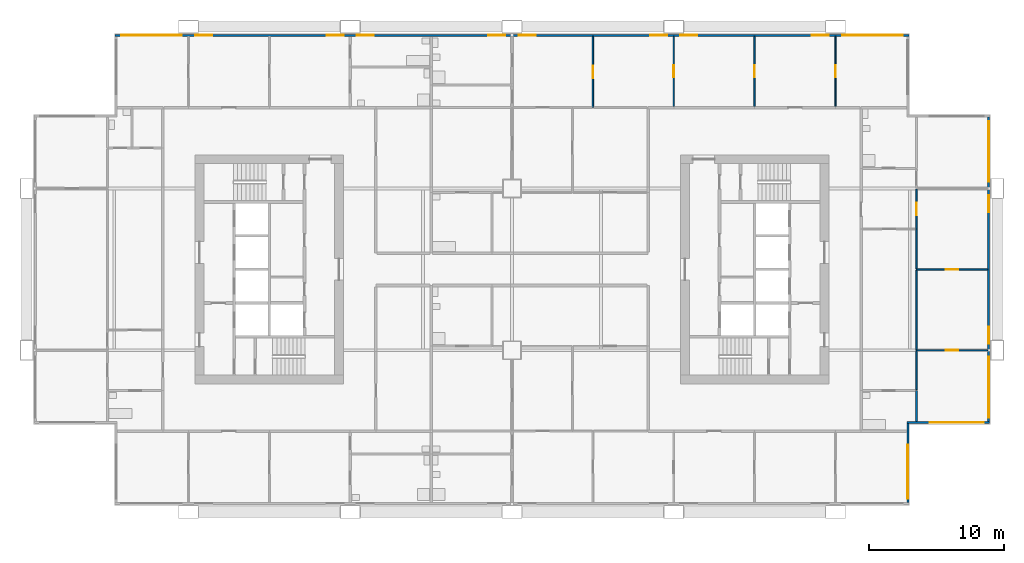
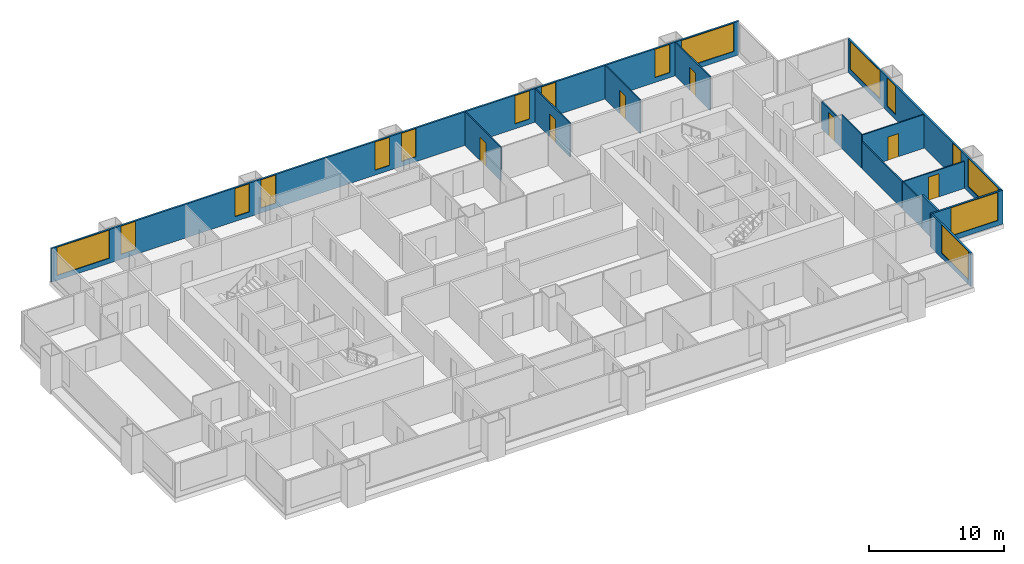
# One storey, part 8 of 11: 16 windows, 15 walls, 7 doors, 23 openings.
"""IFC4 building model written with IfcOpenShell, lengths in metres."""

from ifc_helpers import new_model, si_unit, direction, frame, frame_2d, origin, place, context, subcontext, project, spatial, rectangle, extrude, material, layer, layer_set, type_object, element, fill, save


model = new_model("IFC4")

# Units and contexts
model_context = context("Model", 3, precision=1e-05, world=origin(), true_north=direction((0.0, 1.0)))
body_context = subcontext(model_context, "Body", "Model", "MODEL_VIEW")
ifc_project = project(units=[si_unit("LENGTHUNIT", "METRE"), si_unit("AREAUNIT", "SQUARE_METRE"), si_unit("VOLUMEUNIT", "CUBIC_METRE"), si_unit("PLANEANGLEUNIT", "RADIAN"), si_unit("MASSUNIT", "GRAM", prefix="KILO")], contexts=[model_context])

# Site, building, storey
site_placement = place(None, origin())
site = spatial("IfcSite", under=ifc_project, at=site_placement, CompositionType="ELEMENT")
building_placement = place(site_placement, origin())
building = spatial("IfcBuilding", under=site, at=building_placement, Name="Kitamizu Gate Tower and Museum", CompositionType="ELEMENT")
storey_placement = place(building_placement, frame((0.0, 0.0, 106.949951171875)))
storey = spatial("IfcBuildingStorey", under=building, at=storey_placement, Name="L27", CompositionType="ELEMENT", Elevation=106.949951171875)

# Wall, opening, door
ifc_material_1 = material(Name="Gypsum board on galvanised stud")
ifc_layer_1 = layer(ifc_material_1, 0.10009765625)
ifc_layer_set_1 = layer_set([ifc_layer_1], Name="Gypsum board on galvanised stud")
wall_type_1 = type_object("IfcWallType", Name="Partition 100 NOT RATED", PredefinedType="PARTITIONING", material=ifc_layer_set_1)
wall_1_placement = place(storey_placement, frame((71.280029296875, 24.0, 0.0), z_axis=(0.0, 0.0, 1.0), x_axis=(-1.0, 0.0, 0.0)))
wall_1 = element("IfcWall", 1, at=wall_1_placement, inside=storey, type_object=wall_type_1, Name="Partition L27-068", PredefinedType="PARTITIONING", context=body_context, shape_type="SweptSolid", body=[
    extrude(rectangle(XDim=5.280029296875, YDim=0.10009765625, at=frame_2d((2.64013671875, 0.0))), origin(), (0.0, 0.0, 1.0), 2.449951171875),
])
opening_1_placement = place(wall_1_placement, frame((2.18994140625, 0.0, 0.0)))
opening_1 = element("IfcOpeningElement", 2, at=opening_1_placement, cuts=wall_1, Name="Opening L27-032", PredefinedType="OPENING", context=body_context, shape_type="SweptSolid", body=[
    extrude(rectangle(XDim=0.89990234375, YDim=2.10009765625, at=frame_2d((0.449951171875, 1.050048828125))), frame((0.0, 0.06005859375, 0.0), z_axis=(0.0, -1.0, 0.0), x_axis=(1.0, 0.0, 0.0)), (0.0, 0.0, 1.0), 0.1201171875),
])
ifc_material_2 = material(Name="Timber door set", Category="wood")
door_type = type_object("IfcDoorType", Name="Room door 900", OperationType="NOTDEFINED", PredefinedType="DOOR", material=ifc_material_2)
door_1_placement = place(opening_1_placement, origin())
door_1 = element("IfcDoor", 3, at=door_1_placement, inside=storey, type_object=door_type, Name="Door L27-032", OperationType="SINGLE_SWING_LEFT", OverallHeight=2.10009765625, OverallWidth=0.89990234375, PredefinedType="DOOR", context=body_context, shape_type="SweptSolid", body=[
    extrude(rectangle(XDim=0.89990234375, YDim=2.10009765625, at=frame_2d((0.449951171875, 1.050048828125))), frame((0.0, 0.02490234375, 0.0), z_axis=(0.0, -1.0, 0.0), x_axis=(1.0, 0.0, 0.0)), (0.0, 0.0, 1.0), 0.050048828125),
])
fill(opening_1, door_1)

# Wall
wall_2_placement = place(storey_placement, frame((66.0, 23.949951171875, 0.0), z_axis=(0.0, 0.0, 1.0), x_axis=(0.0, -1.0, 0.0)))
element("IfcWall", 4, at=wall_2_placement, inside=storey, type_object=wall_type_1, Name="Partition L27-070", PredefinedType="PARTITIONING", context=body_context, shape_type="SweptSolid", body=[
    extrude(rectangle(XDim=2.875, YDim=0.10009765625, at=frame_2d((1.4375, 0.0))), origin(), (0.0, 0.0, 1.0), 2.449951171875),
])

# Wall, opening, door
wall_3_placement = place(storey_placement, frame((71.280029296875, 30.0, 0.0), z_axis=(0.0, 0.0, 1.0), x_axis=(-1.0, 0.0, 0.0)))
wall_3 = element("IfcWall", 5, at=wall_3_placement, inside=storey, type_object=wall_type_1, Name="Partition L27-071", PredefinedType="PARTITIONING", context=body_context, shape_type="SweptSolid", body=[
    extrude(rectangle(XDim=5.280029296875, YDim=0.10009765625, at=frame_2d((2.64013671875, 0.0))), origin(), (0.0, 0.0, 1.0), 3.050048828125),
])
opening_2_placement = place(wall_3_placement, frame((2.18994140625, 0.0, 0.0)))
opening_2 = element("IfcOpeningElement", 6, at=opening_2_placement, cuts=wall_3, Name="Opening L27-030", PredefinedType="OPENING", context=body_context, shape_type="SweptSolid", body=[
    extrude(rectangle(XDim=0.89990234375, YDim=2.10009765625, at=frame_2d((0.449951171875, 1.050048828125))), frame((0.0, 0.06005859375, 0.0), z_axis=(0.0, -1.0, 0.0), x_axis=(1.0, 0.0, 0.0)), (0.0, 0.0, 1.0), 0.1201171875),
])
door_2_placement = place(opening_2_placement, origin())
door_2 = element("IfcDoor", 7, at=door_2_placement, inside=storey, type_object=door_type, Name="Door L27-030", OperationType="SINGLE_SWING_LEFT", OverallHeight=2.10009765625, OverallWidth=0.89990234375, PredefinedType="DOOR", context=body_context, shape_type="SweptSolid", body=[
    extrude(rectangle(XDim=0.89990234375, YDim=2.10009765625, at=frame_2d((0.449951171875, 1.050048828125))), frame((0.0, 0.02490234375, 0.0), z_axis=(0.0, -1.0, 0.0), x_axis=(1.0, 0.0, 0.0)), (0.0, 0.0, 1.0), 0.050048828125),
])
fill(opening_2, door_2)

# Walls
wall_4_placement = place(storey_placement, frame((66.0, 29.949951171875, 0.0), z_axis=(0.0, 0.0, 1.0), x_axis=(0.0, -1.0, 0.0)))
element("IfcWall", 8, at=wall_4_placement, inside=storey, type_object=wall_type_1, Name="Partition L27-072", PredefinedType="PARTITIONING", context=body_context, shape_type="SweptSolid", body=[
    extrude(rectangle(XDim=5.89990234375, YDim=0.10009765625, at=frame_2d((2.949951171875, 0.0))), origin(), (0.0, 0.0, 1.0), 2.449951171875),
])
wall_5_placement = place(storey_placement, frame((66.0, 33.0, 0.0), z_axis=(0.0, 0.0, 1.0), x_axis=(0.0, -1.0, 0.0)))
element("IfcWall", 9, at=wall_5_placement, inside=storey, type_object=wall_type_1, Name="Partition L27-074", PredefinedType="PARTITIONING", context=body_context, shape_type="SweptSolid", body=[
    extrude(rectangle(XDim=2.949951171875, YDim=0.10009765625, at=frame_2d((1.47509765625, 0.0))), origin(), (0.0, 0.0, 1.0), 3.050048828125),
])

# Wall, opening, door
wall_6_placement = place(storey_placement, frame((66.0, 35.949951171875, 0.0), z_axis=(0.0, 0.0, 1.0), x_axis=(0.0, -1.0, 0.0)))
wall_6 = element("IfcWall", 10, at=wall_6_placement, inside=storey, type_object=wall_type_1, Name="Partition L27-075", PredefinedType="PARTITIONING", context=body_context, shape_type="SweptSolid", body=[
    extrude(rectangle(XDim=2.949951171875, YDim=0.10009765625, at=frame_2d((1.47509765625, 0.0))), origin(), (0.0, 0.0, 1.0), 2.449951171875),
])
opening_3_placement = place(wall_6_placement, frame((1.02490234375, 0.0, 0.0)))
opening_3 = element("IfcOpeningElement", 11, at=opening_3_placement, cuts=wall_6, Name="Opening L27-027", PredefinedType="OPENING", context=body_context, shape_type="SweptSolid", body=[
    extrude(rectangle(XDim=0.89990234375, YDim=2.10009765625, at=frame_2d((0.449951171875, 1.050048828125))), frame((0.0, 0.06005859375, 0.0), z_axis=(0.0, -1.0, 0.0), x_axis=(1.0, 0.0, 0.0)), (0.0, 0.0, 1.0), 0.1201171875),
])
door_3_placement = place(opening_3_placement, origin())
door_3 = element("IfcDoor", 12, at=door_3_placement, inside=storey, type_object=door_type, Name="Door L27-027", OperationType="SINGLE_SWING_RIGHT", OverallHeight=2.10009765625, OverallWidth=0.89990234375, PredefinedType="DOOR", context=body_context, shape_type="SweptSolid", body=[
    extrude(rectangle(XDim=0.89990234375, YDim=2.10009765625, at=frame_2d((0.449951171875, 1.050048828125))), frame((0.0, 0.02490234375, 0.0), z_axis=(0.0, -1.0, 0.0), x_axis=(1.0, 0.0, 0.0)), (0.0, 0.0, 1.0), 0.050048828125),
])
fill(opening_3, door_3)

wall_7_placement = place(storey_placement, frame((42.0, 42.0, 0.0), z_axis=(0.0, 0.0, 1.0), x_axis=(0.0, 1.0, 0.0)))
wall_7 = element("IfcWall", 13, at=wall_7_placement, inside=storey, type_object=wall_type_1, Name="Partition L27-111", PredefinedType="PARTITIONING", context=body_context, shape_type="SweptSolid", body=[
    extrude(rectangle(XDim=5.280029296875, YDim=0.10009765625, at=frame_2d((2.64013671875, 0.0))), origin(), (0.0, 0.0, 1.0), 3.050048828125),
])
opening_4_placement = place(wall_7_placement, frame((2.18994140625, 0.0, 0.0)))
opening_4 = element("IfcOpeningElement", 14, at=opening_4_placement, cuts=wall_7, Name="Opening L27-043", PredefinedType="OPENING", context=body_context, shape_type="SweptSolid", body=[
    extrude(rectangle(XDim=0.89990234375, YDim=2.10009765625, at=frame_2d((0.449951171875, 1.050048828125))), frame((0.0, 0.06005859375, 0.0), z_axis=(0.0, -1.0, 0.0), x_axis=(1.0, 0.0, 0.0)), (0.0, 0.0, 1.0), 0.1201171875),
])
door_4_placement = place(opening_4_placement, origin())
door_4 = element("IfcDoor", 15, at=door_4_placement, inside=storey, type_object=door_type, Name="Door L27-043", OperationType="SINGLE_SWING_RIGHT", OverallHeight=2.10009765625, OverallWidth=0.89990234375, PredefinedType="DOOR", context=body_context, shape_type="SweptSolid", body=[
    extrude(rectangle(XDim=0.89990234375, YDim=2.10009765625, at=frame_2d((0.449951171875, 1.050048828125))), frame((0.0, 0.02490234375, 0.0), z_axis=(0.0, -1.0, 0.0), x_axis=(1.0, 0.0, 0.0)), (0.0, 0.0, 1.0), 0.050048828125),
])
fill(opening_4, door_4)

wall_8_placement = place(storey_placement, frame((48.0, 42.10009765625, 0.0), z_axis=(0.0, 0.0, 1.0), x_axis=(0.0, 1.0, 0.0)))
wall_8 = element("IfcWall", 16, at=wall_8_placement, inside=storey, type_object=wall_type_1, Name="Partition L27-114", PredefinedType="PARTITIONING", context=body_context, shape_type="SweptSolid", body=[
    extrude(rectangle(XDim=5.179931640625, YDim=0.10009765625, at=frame_2d((2.58984375, 0.0))), origin(), (0.0, 0.0, 1.0), 3.050048828125),
])
opening_5_placement = place(wall_8_placement, frame((2.139892578125, 0.0, 0.0)))
opening_5 = element("IfcOpeningElement", 17, at=opening_5_placement, cuts=wall_8, Name="Opening L27-042", PredefinedType="OPENING", context=body_context, shape_type="SweptSolid", body=[
    extrude(rectangle(XDim=0.89990234375, YDim=2.10009765625, at=frame_2d((0.449951171875, 1.050048828125))), frame((0.0, 0.06005859375, 0.0), z_axis=(0.0, -1.0, 0.0), x_axis=(1.0, 0.0, 0.0)), (0.0, 0.0, 1.0), 0.1201171875),
])
door_5_placement = place(opening_5_placement, origin())
door_5 = element("IfcDoor", 18, at=door_5_placement, inside=storey, type_object=door_type, Name="Door L27-042", OperationType="SINGLE_SWING_LEFT", OverallHeight=2.10009765625, OverallWidth=0.89990234375, PredefinedType="DOOR", context=body_context, shape_type="SweptSolid", body=[
    extrude(rectangle(XDim=0.89990234375, YDim=2.10009765625, at=frame_2d((0.449951171875, 1.050048828125))), frame((0.0, 0.02490234375, 0.0), z_axis=(0.0, -1.0, 0.0), x_axis=(1.0, 0.0, 0.0)), (0.0, 0.0, 1.0), 0.050048828125),
])
fill(opening_5, door_5)

wall_9_placement = place(storey_placement, frame((54.0, 42.10009765625, 0.0), z_axis=(0.0, 0.0, 1.0), x_axis=(0.0, 1.0, 0.0)))
wall_9 = element("IfcWall", 19, at=wall_9_placement, inside=storey, type_object=wall_type_1, Name="Partition L27-117", PredefinedType="PARTITIONING", context=body_context, shape_type="SweptSolid", body=[
    extrude(rectangle(XDim=5.179931640625, YDim=0.10009765625, at=frame_2d((2.58984375, 0.0))), origin(), (0.0, 0.0, 1.0), 3.050048828125),
])
opening_6_placement = place(wall_9_placement, frame((2.139892578125, 0.0, 0.0)))
opening_6 = element("IfcOpeningElement", 20, at=opening_6_placement, cuts=wall_9, Name="Opening L27-040", PredefinedType="OPENING", context=body_context, shape_type="SweptSolid", body=[
    extrude(rectangle(XDim=0.89990234375, YDim=2.10009765625, at=frame_2d((0.449951171875, 1.050048828125))), frame((0.0, 0.06005859375, 0.0), z_axis=(0.0, -1.0, 0.0), x_axis=(1.0, 0.0, 0.0)), (0.0, 0.0, 1.0), 0.1201171875),
])
door_6_placement = place(opening_6_placement, origin())
door_6 = element("IfcDoor", 21, at=door_6_placement, inside=storey, type_object=door_type, Name="Door L27-040", OperationType="SINGLE_SWING_LEFT", OverallHeight=2.10009765625, OverallWidth=0.89990234375, PredefinedType="DOOR", context=body_context, shape_type="SweptSolid", body=[
    extrude(rectangle(XDim=0.89990234375, YDim=2.10009765625, at=frame_2d((0.449951171875, 1.050048828125))), frame((0.0, 0.02490234375, 0.0), z_axis=(0.0, -1.0, 0.0), x_axis=(1.0, 0.0, 0.0)), (0.0, 0.0, 1.0), 0.050048828125),
])
fill(opening_6, door_6)

wall_10_placement = place(storey_placement, frame((60.0, 42.10009765625, 0.0), z_axis=(0.0, 0.0, 1.0), x_axis=(0.0, 1.0, 0.0)))
wall_10 = element("IfcWall", 22, at=wall_10_placement, inside=storey, type_object=wall_type_1, Name="Partition L27-119", PredefinedType="PARTITIONING", context=body_context, shape_type="SweptSolid", body=[
    extrude(rectangle(XDim=5.179931640625, YDim=0.10009765625, at=frame_2d((2.58984375, 0.0))), origin(), (0.0, 0.0, 1.0), 3.050048828125),
])
opening_7_placement = place(wall_10_placement, frame((2.139892578125, 0.0, 0.0)))
opening_7 = element("IfcOpeningElement", 23, at=opening_7_placement, cuts=wall_10, Name="Opening L27-041", PredefinedType="OPENING", context=body_context, shape_type="SweptSolid", body=[
    extrude(rectangle(XDim=0.89990234375, YDim=2.10009765625, at=frame_2d((0.449951171875, 1.050048828125))), frame((0.0, 0.06005859375, 0.0), z_axis=(0.0, -1.0, 0.0), x_axis=(1.0, 0.0, 0.0)), (0.0, 0.0, 1.0), 0.1201171875),
])
door_7_placement = place(opening_7_placement, frame((0.89990234375, 0.0, 0.0), x_axis=(-1.0, 0.0, 0.0)))
door_7 = element("IfcDoor", 24, at=door_7_placement, inside=storey, type_object=door_type, Name="Door L27-041", OperationType="SINGLE_SWING_LEFT", OverallHeight=2.10009765625, OverallWidth=0.89990234375, PredefinedType="DOOR", context=body_context, shape_type="SweptSolid", body=[
    extrude(rectangle(XDim=0.89990234375, YDim=2.10009765625, at=frame_2d((0.449951171875, 1.050048828125))), frame((0.0, 0.02490234375, 0.0), z_axis=(0.0, -1.0, 0.0), x_axis=(1.0, 0.0, 0.0)), (0.0, 0.0, 1.0), 0.050048828125),
])
fill(opening_7, door_7)

# Wall
ifc_material_3 = material(Name="Gypsum board on galvanised stud")
ifc_layer_2 = layer(ifc_material_3, 0.14990234375)
ifc_layer_set_2 = layer_set([ifc_layer_2], Name="Gypsum board on galvanised stud")
wall_type_2 = type_object("IfcWallType", Name="Partition 150", PredefinedType="PARTITIONING", material=ifc_layer_set_2)
wall_11_placement = place(storey_placement, frame((66.0, 21.0, 0.0), z_axis=(0.0, 0.0, 1.0), x_axis=(0.0, -1.0, 0.0)))
element("IfcWall", 25, at=wall_11_placement, inside=storey, type_object=wall_type_2, Name="Partition L27-069", PredefinedType="PARTITIONING", context=body_context, shape_type="SweptSolid", body=[
    extrude(rectangle(XDim=2.280029296875, YDim=0.14990234375, at=frame_2d((1.14013671875, 0.0))), origin(), (0.0, 0.0, 1.0), 3.050048828125),
])

# Wall, opening, window
ifc_material_4 = material(Name="Bronze anodised aluminium frame with insulated spandrel and tinted glass", Category="aluminium")
ifc_layer_3 = layer(ifc_material_4, 0.14990234375)
ifc_layer_set_3 = layer_set([ifc_layer_3], Name="Bronze anodised aluminium frame with insulated spandrel and tinted glass")
wall_type_3 = type_object("IfcWallType", Name="WINDOW WALL 150 BRONZE FRAME EI 30", PredefinedType="ELEMENTEDWALL", material=ifc_layer_set_3)
wall_12_placement = place(storey_placement, frame((65.364990234375, 12.7099609375, 0.0), z_axis=(0.0, 0.0, 1.0), x_axis=(0.0, 1.0, 0.0)))
wall_12 = element("IfcWall", 26, at=wall_12_placement, inside=storey, type_object=wall_type_3, Name="Window wall east L27", PredefinedType="ELEMENTEDWALL", context=body_context, shape_type="SweptSolid", body=[
    extrude(rectangle(XDim=5.85009765625, YDim=0.14990234375, at=frame_2d((2.925048828125, 0.0))), origin(), (0.0, 0.0, 1.0), 3.050048828125),
])
opening_8_placement = place(wall_12_placement, frame((0.2900390625, 0.0, 0.449951171875)))
opening_8 = element("IfcOpeningElement", 27, at=opening_8_placement, cuts=wall_12, Name="Opening W16", PredefinedType="OPENING", context=body_context, shape_type="SweptSolid", body=[
    extrude(rectangle(XDim=4.0, YDim=2.550048828125, at=frame_2d((2.0, 1.27490234375))), frame((0.0, 0.0849609375, 0.0), z_axis=(0.0, -1.0, 0.0), x_axis=(1.0, 0.0, 0.0)), (0.0, 0.0, 1.0), 0.169921875),
])
ifc_material_5 = material(Name="Bronze anodised aluminium frame, tinted triple glazing", Category="aluminium")
window_type_1 = type_object("IfcWindowType", Name="WINDOW 4000 x 2550 SILL 450", PartitioningType="SINGLE_PANEL", PredefinedType="WINDOW", material=ifc_material_5)
window_1_placement = place(opening_8_placement, origin())
window_1 = element("IfcWindow", 28, at=window_1_placement, inside=storey, type_object=window_type_1, Name="Window W16 L27", OverallHeight=2.550048828125, OverallWidth=4.0, PartitioningType="SINGLE_PANEL", PredefinedType="WINDOW", context=body_context, shape_type="SweptSolid", body=[
    extrude(rectangle(XDim=4.0, YDim=2.550048828125, at=frame_2d((2.0, 1.27490234375))), frame((0.0, 0.030029296875, 0.0), z_axis=(0.0, -1.0, 0.0), x_axis=(1.0, 0.0, 0.0)), (0.0, 0.0, 1.0), 0.06005859375),
])
fill(opening_8, window_1)

wall_13_placement = place(storey_placement, frame((65.2900390625, 18.635009765625, 0.0), z_axis=(0.0, 0.0, 1.0), x_axis=(1.0, 0.0, 0.0)))
wall_13 = element("IfcWall", 29, at=wall_13_placement, inside=storey, type_object=wall_type_3, Name="Window wall south L27", PredefinedType="ELEMENTEDWALL", context=body_context, shape_type="SweptSolid", body=[
    extrude(rectangle(XDim=6.14990234375, YDim=0.14990234375, at=frame_2d((3.074951171875, 0.0))), origin(), (0.0, 0.0, 1.0), 3.050048828125),
])
opening_9_placement = place(wall_13_placement, frame((1.7099609375, 0.0, 0.449951171875)))
opening_9 = element("IfcOpeningElement", 30, at=opening_9_placement, cuts=wall_13, Name="Opening W16", PredefinedType="OPENING", context=body_context, shape_type="SweptSolid", body=[
    extrude(rectangle(XDim=4.0, YDim=2.550048828125, at=frame_2d((2.0, 1.27490234375))), frame((0.0, 0.0849609375, 0.0), z_axis=(0.0, -1.0, 0.0), x_axis=(1.0, 0.0, 0.0)), (0.0, 0.0, 1.0), 0.169921875),
])
window_2_placement = place(opening_9_placement, origin())
window_2 = element("IfcWindow", 31, at=window_2_placement, inside=storey, type_object=window_type_1, Name="Window W16 L27", OverallHeight=2.550048828125, OverallWidth=4.0, PartitioningType="SINGLE_PANEL", PredefinedType="WINDOW", context=body_context, shape_type="SweptSolid", body=[
    extrude(rectangle(XDim=4.0, YDim=2.550048828125, at=frame_2d((2.0, 1.27490234375))), frame((0.0, 0.030029296875, 0.0), z_axis=(0.0, -1.0, 0.0), x_axis=(1.0, 0.0, 0.0)), (0.0, 0.0, 1.0), 0.06005859375),
])
fill(opening_9, window_2)

# Wall, openings, windows
wall_14_placement = place(storey_placement, frame((71.364990234375, 18.7099609375, 0.0), z_axis=(0.0, 0.0, 1.0), x_axis=(0.0, 1.0, 0.0)))
wall_14 = element("IfcWall", 32, at=wall_14_placement, inside=storey, type_object=wall_type_3, Name="Window wall east L27", PredefinedType="ELEMENTEDWALL", context=body_context, shape_type="SweptSolid", body=[
    extrude(rectangle(XDim=22.580078125, YDim=0.14990234375, at=frame_2d((11.2900390625, 0.0))), origin(), (0.0, 0.0, 1.0), 3.050048828125),
])
opening_10_placement = place(wall_14_placement, frame((0.2900390625, 0.0, 0.449951171875)))
opening_10 = element("IfcOpeningElement", 33, at=opening_10_placement, cuts=wall_14, Name="Opening W15", PredefinedType="OPENING", context=body_context, shape_type="SweptSolid", body=[
    extrude(rectangle(XDim=4.5, YDim=2.550048828125, at=frame_2d((2.25, 1.27490234375))), frame((0.0, 0.0849609375, 0.0), z_axis=(0.0, -1.0, 0.0), x_axis=(1.0, 0.0, 0.0)), (0.0, 0.0, 1.0), 0.169921875),
])
opening_11_placement = place(wall_14_placement, frame((5.7900390625, 0.0, 0.449951171875)))
opening_11 = element("IfcOpeningElement", 34, at=opening_11_placement, cuts=wall_14, Name="Opening W27", PredefinedType="OPENING", context=body_context, shape_type="SweptSolid", body=[
    extrude(rectangle(XDim=1.25, YDim=2.550048828125, at=frame_2d((0.625, 1.27490234375))), frame((0.0, 0.0849609375, 0.0), z_axis=(0.0, -1.0, 0.0), x_axis=(1.0, 0.0, 0.0)), (0.0, 0.0, 1.0), 0.169921875),
])
opening_12_placement = place(wall_14_placement, frame((15.5400390625, 0.0, 0.449951171875)))
opening_12 = element("IfcOpeningElement", 35, at=opening_12_placement, cuts=wall_14, Name="Opening W27", PredefinedType="OPENING", context=body_context, shape_type="SweptSolid", body=[
    extrude(rectangle(XDim=1.25, YDim=2.550048828125, at=frame_2d((0.625, 1.27490234375))), frame((0.0, 0.0849609375, 0.0), z_axis=(0.0, -1.0, 0.0), x_axis=(1.0, 0.0, 0.0)), (0.0, 0.0, 1.0), 0.169921875),
])
opening_13_placement = place(wall_14_placement, frame((17.7900390625, 0.0, 0.449951171875)))
opening_13 = element("IfcOpeningElement", 36, at=opening_13_placement, cuts=wall_14, Name="Opening W15", PredefinedType="OPENING", context=body_context, shape_type="SweptSolid", body=[
    extrude(rectangle(XDim=4.5, YDim=2.550048828125, at=frame_2d((2.25, 1.27490234375))), frame((0.0, 0.0849609375, 0.0), z_axis=(0.0, -1.0, 0.0), x_axis=(1.0, 0.0, 0.0)), (0.0, 0.0, 1.0), 0.169921875),
])
ifc_material_6 = material(Name="Bronze anodised aluminium frame, tinted triple glazing", Category="aluminium")
window_type_2 = type_object("IfcWindowType", Name="WINDOW 1250 x 2550 SILL 450", PartitioningType="SINGLE_PANEL", PredefinedType="WINDOW", material=ifc_material_6)
window_3_placement = place(opening_11_placement, origin())
window_3 = element("IfcWindow", 37, at=window_3_placement, inside=storey, type_object=window_type_2, Name="Window W27 L27", OverallHeight=2.550048828125, OverallWidth=1.25, PartitioningType="SINGLE_PANEL", PredefinedType="WINDOW", context=body_context, shape_type="SweptSolid", body=[
    extrude(rectangle(XDim=1.25, YDim=2.550048828125, at=frame_2d((0.625, 1.27490234375))), frame((0.0, 0.030029296875, 0.0), z_axis=(0.0, -1.0, 0.0), x_axis=(1.0, 0.0, 0.0)), (0.0, 0.0, 1.0), 0.06005859375),
])
fill(opening_11, window_3)
window_4_placement = place(opening_12_placement, origin())
window_4 = element("IfcWindow", 38, at=window_4_placement, inside=storey, type_object=window_type_2, Name="Window W27 L27", OverallHeight=2.550048828125, OverallWidth=1.25, PartitioningType="SINGLE_PANEL", PredefinedType="WINDOW", context=body_context, shape_type="SweptSolid", body=[
    extrude(rectangle(XDim=1.25, YDim=2.550048828125, at=frame_2d((0.625, 1.27490234375))), frame((0.0, 0.030029296875, 0.0), z_axis=(0.0, -1.0, 0.0), x_axis=(1.0, 0.0, 0.0)), (0.0, 0.0, 1.0), 0.06005859375),
])
fill(opening_12, window_4)
ifc_material_7 = material(Name="Bronze anodised aluminium frame, tinted triple glazing", Category="aluminium")
window_type_3 = type_object("IfcWindowType", Name="WINDOW 4500 x 2550 SILL 450", PartitioningType="SINGLE_PANEL", PredefinedType="WINDOW", material=ifc_material_7)
window_5_placement = place(opening_10_placement, origin())
window_5 = element("IfcWindow", 39, at=window_5_placement, inside=storey, type_object=window_type_3, Name="Window W15 L27", OverallHeight=2.550048828125, OverallWidth=4.5, PartitioningType="SINGLE_PANEL", PredefinedType="WINDOW", context=body_context, shape_type="SweptSolid", body=[
    extrude(rectangle(XDim=4.5, YDim=2.550048828125, at=frame_2d((2.25, 1.27490234375))), frame((0.0, 0.030029296875, 0.0), z_axis=(0.0, -1.0, 0.0), x_axis=(1.0, 0.0, 0.0)), (0.0, 0.0, 1.0), 0.06005859375),
])
fill(opening_10, window_5)
window_6_placement = place(opening_13_placement, origin())
window_6 = element("IfcWindow", 40, at=window_6_placement, inside=storey, type_object=window_type_3, Name="Window W15 L27", OverallHeight=2.550048828125, OverallWidth=4.5, PartitioningType="SINGLE_PANEL", PredefinedType="WINDOW", context=body_context, shape_type="SweptSolid", body=[
    extrude(rectangle(XDim=4.5, YDim=2.550048828125, at=frame_2d((2.25, 1.27490234375))), frame((0.0, 0.030029296875, 0.0), z_axis=(0.0, -1.0, 0.0), x_axis=(1.0, 0.0, 0.0)), (0.0, 0.0, 1.0), 0.06005859375),
])
fill(opening_13, window_6)

wall_15_placement = place(storey_placement, frame((6.56005859375, 47.364990234375, 0.0), z_axis=(0.0, 0.0, 1.0), x_axis=(1.0, 0.0, 0.0)))
wall_15 = element("IfcWall", 41, at=wall_15_placement, inside=storey, type_object=wall_type_3, Name="Window wall north L27", PredefinedType="ELEMENTEDWALL", context=body_context, shape_type="SweptSolid", body=[
    extrude(rectangle(XDim=58.8798828125, YDim=0.14990234375, at=frame_2d((29.43994140625, 0.0))), origin(), (0.0, 0.0, 1.0), 3.050048828125),
])
opening_14_placement = place(wall_15_placement, frame((0.43994140625, 0.0, 0.449951171875)))
opening_14 = element("IfcOpeningElement", 42, at=opening_14_placement, cuts=wall_15, Name="Opening W15", PredefinedType="OPENING", context=body_context, shape_type="SweptSolid", body=[
    extrude(rectangle(XDim=4.5, YDim=2.550048828125, at=frame_2d((2.25, 1.27490234375))), frame((0.0, 0.0849609375, 0.0), z_axis=(0.0, -1.0, 0.0), x_axis=(1.0, 0.0, 0.0)), (0.0, 0.0, 1.0), 0.169921875),
])
opening_15_placement = place(wall_15_placement, frame((5.93994140625, 0.0, 0.449951171875)))
opening_15 = element("IfcOpeningElement", 43, at=opening_15_placement, cuts=wall_15, Name="Opening W27", PredefinedType="OPENING", context=body_context, shape_type="SweptSolid", body=[
    extrude(rectangle(XDim=1.25, YDim=2.550048828125, at=frame_2d((0.625, 1.27490234375))), frame((0.0, 0.0849609375, 0.0), z_axis=(0.0, -1.0, 0.0), x_axis=(1.0, 0.0, 0.0)), (0.0, 0.0, 1.0), 0.169921875),
])
opening_16_placement = place(wall_15_placement, frame((15.68994140625, 0.0, 0.449951171875)))
opening_16 = element("IfcOpeningElement", 44, at=opening_16_placement, cuts=wall_15, Name="Opening W27", PredefinedType="OPENING", context=body_context, shape_type="SweptSolid", body=[
    extrude(rectangle(XDim=1.25, YDim=2.550048828125, at=frame_2d((0.625, 1.27490234375))), frame((0.0, 0.0849609375, 0.0), z_axis=(0.0, -1.0, 0.0), x_axis=(1.0, 0.0, 0.0)), (0.0, 0.0, 1.0), 0.169921875),
])
opening_17_placement = place(wall_15_placement, frame((17.93994140625, 0.0, 0.449951171875)))
opening_17 = element("IfcOpeningElement", 45, at=opening_17_placement, cuts=wall_15, Name="Opening W27", PredefinedType="OPENING", context=body_context, shape_type="SweptSolid", body=[
    extrude(rectangle(XDim=1.25, YDim=2.550048828125, at=frame_2d((0.625, 1.27490234375))), frame((0.0, 0.0849609375, 0.0), z_axis=(0.0, -1.0, 0.0), x_axis=(1.0, 0.0, 0.0)), (0.0, 0.0, 1.0), 0.169921875),
])
opening_18_placement = place(wall_15_placement, frame((27.68994140625, 0.0, 0.449951171875)))
opening_18 = element("IfcOpeningElement", 46, at=opening_18_placement, cuts=wall_15, Name="Opening W27", PredefinedType="OPENING", context=body_context, shape_type="SweptSolid", body=[
    extrude(rectangle(XDim=1.25, YDim=2.550048828125, at=frame_2d((0.625, 1.27490234375))), frame((0.0, 0.0849609375, 0.0), z_axis=(0.0, -1.0, 0.0), x_axis=(1.0, 0.0, 0.0)), (0.0, 0.0, 1.0), 0.169921875),
])
opening_19_placement = place(wall_15_placement, frame((29.93994140625, 0.0, 0.449951171875)))
opening_19 = element("IfcOpeningElement", 47, at=opening_19_placement, cuts=wall_15, Name="Opening W27", PredefinedType="OPENING", context=body_context, shape_type="SweptSolid", body=[
    extrude(rectangle(XDim=1.25, YDim=2.550048828125, at=frame_2d((0.625, 1.27490234375))), frame((0.0, 0.0849609375, 0.0), z_axis=(0.0, -1.0, 0.0), x_axis=(1.0, 0.0, 0.0)), (0.0, 0.0, 1.0), 0.169921875),
])
opening_20_placement = place(wall_15_placement, frame((39.68994140625, 0.0, 0.449951171875)))
opening_20 = element("IfcOpeningElement", 48, at=opening_20_placement, cuts=wall_15, Name="Opening W27", PredefinedType="OPENING", context=body_context, shape_type="SweptSolid", body=[
    extrude(rectangle(XDim=1.25, YDim=2.550048828125, at=frame_2d((0.625, 1.27490234375))), frame((0.0, 0.0849609375, 0.0), z_axis=(0.0, -1.0, 0.0), x_axis=(1.0, 0.0, 0.0)), (0.0, 0.0, 1.0), 0.169921875),
])
opening_21_placement = place(wall_15_placement, frame((41.93994140625, 0.0, 0.449951171875)))
opening_21 = element("IfcOpeningElement", 49, at=opening_21_placement, cuts=wall_15, Name="Opening W27", PredefinedType="OPENING", context=body_context, shape_type="SweptSolid", body=[
    extrude(rectangle(XDim=1.25, YDim=2.550048828125, at=frame_2d((0.625, 1.27490234375))), frame((0.0, 0.0849609375, 0.0), z_axis=(0.0, -1.0, 0.0), x_axis=(1.0, 0.0, 0.0)), (0.0, 0.0, 1.0), 0.169921875),
])
opening_22_placement = place(wall_15_placement, frame((51.68994140625, 0.0, 0.449951171875)))
opening_22 = element("IfcOpeningElement", 50, at=opening_22_placement, cuts=wall_15, Name="Opening W27", PredefinedType="OPENING", context=body_context, shape_type="SweptSolid", body=[
    extrude(rectangle(XDim=1.25, YDim=2.550048828125, at=frame_2d((0.625, 1.27490234375))), frame((0.0, 0.0849609375, 0.0), z_axis=(0.0, -1.0, 0.0), x_axis=(1.0, 0.0, 0.0)), (0.0, 0.0, 1.0), 0.169921875),
])
opening_23_placement = place(wall_15_placement, frame((53.93994140625, 0.0, 0.449951171875)))
opening_23 = element("IfcOpeningElement", 51, at=opening_23_placement, cuts=wall_15, Name="Opening W15", PredefinedType="OPENING", context=body_context, shape_type="SweptSolid", body=[
    extrude(rectangle(XDim=4.5, YDim=2.550048828125, at=frame_2d((2.25, 1.27490234375))), frame((0.0, 0.0849609375, 0.0), z_axis=(0.0, -1.0, 0.0), x_axis=(1.0, 0.0, 0.0)), (0.0, 0.0, 1.0), 0.169921875),
])
window_7_placement = place(opening_15_placement, origin())
window_7 = element("IfcWindow", 52, at=window_7_placement, inside=storey, type_object=window_type_2, Name="Window W27 L27", OverallHeight=2.550048828125, OverallWidth=1.25, PartitioningType="SINGLE_PANEL", PredefinedType="WINDOW", context=body_context, shape_type="SweptSolid", body=[
    extrude(rectangle(XDim=1.25, YDim=2.550048828125, at=frame_2d((0.625, 1.27490234375))), frame((0.0, 0.030029296875, 0.0), z_axis=(0.0, -1.0, 0.0), x_axis=(1.0, 0.0, 0.0)), (0.0, 0.0, 1.0), 0.06005859375),
])
fill(opening_15, window_7)
window_8_placement = place(opening_16_placement, origin())
window_8 = element("IfcWindow", 53, at=window_8_placement, inside=storey, type_object=window_type_2, Name="Window W27 L27", OverallHeight=2.550048828125, OverallWidth=1.25, PartitioningType="SINGLE_PANEL", PredefinedType="WINDOW", context=body_context, shape_type="SweptSolid", body=[
    extrude(rectangle(XDim=1.25, YDim=2.550048828125, at=frame_2d((0.625, 1.27490234375))), frame((0.0, 0.030029296875, 0.0), z_axis=(0.0, -1.0, 0.0), x_axis=(1.0, 0.0, 0.0)), (0.0, 0.0, 1.0), 0.06005859375),
])
fill(opening_16, window_8)
window_9_placement = place(opening_17_placement, origin())
window_9 = element("IfcWindow", 54, at=window_9_placement, inside=storey, type_object=window_type_2, Name="Window W27 L27", OverallHeight=2.550048828125, OverallWidth=1.25, PartitioningType="SINGLE_PANEL", PredefinedType="WINDOW", context=body_context, shape_type="SweptSolid", body=[
    extrude(rectangle(XDim=1.25, YDim=2.550048828125, at=frame_2d((0.625, 1.27490234375))), frame((0.0, 0.030029296875, 0.0), z_axis=(0.0, -1.0, 0.0), x_axis=(1.0, 0.0, 0.0)), (0.0, 0.0, 1.0), 0.06005859375),
])
fill(opening_17, window_9)
window_10_placement = place(opening_18_placement, origin())
window_10 = element("IfcWindow", 55, at=window_10_placement, inside=storey, type_object=window_type_2, Name="Window W27 L27", OverallHeight=2.550048828125, OverallWidth=1.25, PartitioningType="SINGLE_PANEL", PredefinedType="WINDOW", context=body_context, shape_type="SweptSolid", body=[
    extrude(rectangle(XDim=1.25, YDim=2.550048828125, at=frame_2d((0.625, 1.27490234375))), frame((0.0, 0.030029296875, 0.0), z_axis=(0.0, -1.0, 0.0), x_axis=(1.0, 0.0, 0.0)), (0.0, 0.0, 1.0), 0.06005859375),
])
fill(opening_18, window_10)
window_11_placement = place(opening_19_placement, origin())
window_11 = element("IfcWindow", 56, at=window_11_placement, inside=storey, type_object=window_type_2, Name="Window W27 L27", OverallHeight=2.550048828125, OverallWidth=1.25, PartitioningType="SINGLE_PANEL", PredefinedType="WINDOW", context=body_context, shape_type="SweptSolid", body=[
    extrude(rectangle(XDim=1.25, YDim=2.550048828125, at=frame_2d((0.625, 1.27490234375))), frame((0.0, 0.030029296875, 0.0), z_axis=(0.0, -1.0, 0.0), x_axis=(1.0, 0.0, 0.0)), (0.0, 0.0, 1.0), 0.06005859375),
])
fill(opening_19, window_11)
window_12_placement = place(opening_20_placement, origin())
window_12 = element("IfcWindow", 57, at=window_12_placement, inside=storey, type_object=window_type_2, Name="Window W27 L27", OverallHeight=2.550048828125, OverallWidth=1.25, PartitioningType="SINGLE_PANEL", PredefinedType="WINDOW", context=body_context, shape_type="SweptSolid", body=[
    extrude(rectangle(XDim=1.25, YDim=2.550048828125, at=frame_2d((0.625, 1.27490234375))), frame((0.0, 0.030029296875, 0.0), z_axis=(0.0, -1.0, 0.0), x_axis=(1.0, 0.0, 0.0)), (0.0, 0.0, 1.0), 0.06005859375),
])
fill(opening_20, window_12)
window_13_placement = place(opening_21_placement, origin())
window_13 = element("IfcWindow", 58, at=window_13_placement, inside=storey, type_object=window_type_2, Name="Window W27 L27", OverallHeight=2.550048828125, OverallWidth=1.25, PartitioningType="SINGLE_PANEL", PredefinedType="WINDOW", context=body_context, shape_type="SweptSolid", body=[
    extrude(rectangle(XDim=1.25, YDim=2.550048828125, at=frame_2d((0.625, 1.27490234375))), frame((0.0, 0.030029296875, 0.0), z_axis=(0.0, -1.0, 0.0), x_axis=(1.0, 0.0, 0.0)), (0.0, 0.0, 1.0), 0.06005859375),
])
fill(opening_21, window_13)
window_14_placement = place(opening_22_placement, origin())
window_14 = element("IfcWindow", 59, at=window_14_placement, inside=storey, type_object=window_type_2, Name="Window W27 L27", OverallHeight=2.550048828125, OverallWidth=1.25, PartitioningType="SINGLE_PANEL", PredefinedType="WINDOW", context=body_context, shape_type="SweptSolid", body=[
    extrude(rectangle(XDim=1.25, YDim=2.550048828125, at=frame_2d((0.625, 1.27490234375))), frame((0.0, 0.030029296875, 0.0), z_axis=(0.0, -1.0, 0.0), x_axis=(1.0, 0.0, 0.0)), (0.0, 0.0, 1.0), 0.06005859375),
])
fill(opening_22, window_14)
window_15_placement = place(opening_14_placement, origin())
window_15 = element("IfcWindow", 60, at=window_15_placement, inside=storey, type_object=window_type_3, Name="Window W15 L27", OverallHeight=2.550048828125, OverallWidth=4.5, PartitioningType="SINGLE_PANEL", PredefinedType="WINDOW", context=body_context, shape_type="SweptSolid", body=[
    extrude(rectangle(XDim=4.5, YDim=2.550048828125, at=frame_2d((2.25, 1.27490234375))), frame((0.0, 0.030029296875, 0.0), z_axis=(0.0, -1.0, 0.0), x_axis=(1.0, 0.0, 0.0)), (0.0, 0.0, 1.0), 0.06005859375),
])
fill(opening_14, window_15)
window_16_placement = place(opening_23_placement, origin())
window_16 = element("IfcWindow", 61, at=window_16_placement, inside=storey, type_object=window_type_3, Name="Window W15 L27", OverallHeight=2.550048828125, OverallWidth=4.5, PartitioningType="SINGLE_PANEL", PredefinedType="WINDOW", context=body_context, shape_type="SweptSolid", body=[
    extrude(rectangle(XDim=4.5, YDim=2.550048828125, at=frame_2d((2.25, 1.27490234375))), frame((0.0, 0.030029296875, 0.0), z_axis=(0.0, -1.0, 0.0), x_axis=(1.0, 0.0, 0.0)), (0.0, 0.0, 1.0), 0.06005859375),
])
fill(opening_23, window_16)

save(model, "model.ifc")
